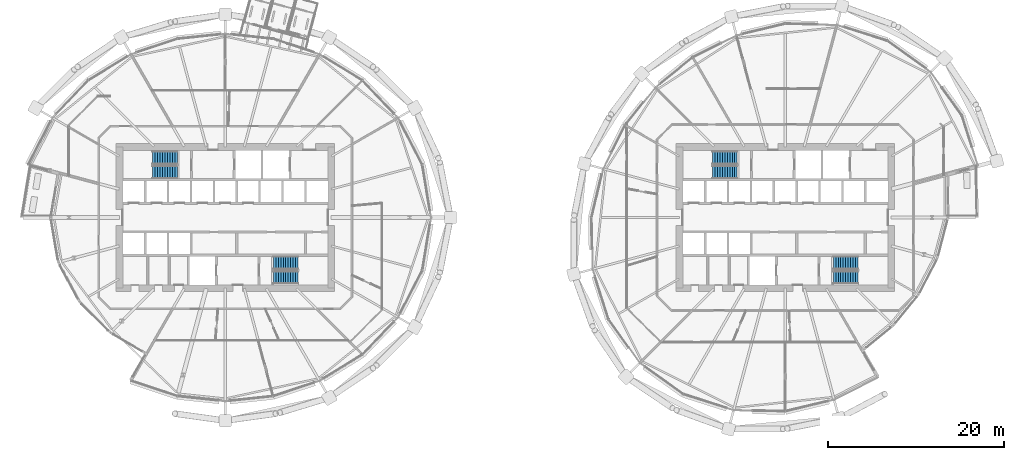
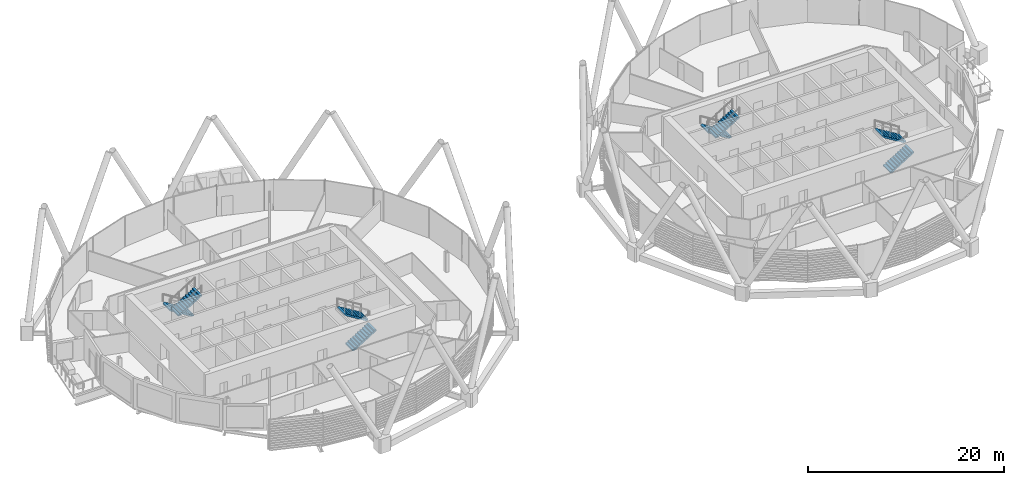
# One storey, part 31 of 38: 8 stair flights, 4 elements without a shape of their own.
"""IFC4 building model written with IfcOpenShell, lengths in metres."""

from ifc_helpers import new_model, si_unit, direction, frame, origin, place, context, subcontext, project, spatial, polyline, outline, extrude, material, type_object, element, aggregate, save


model = new_model("IFC4")

# Units and contexts
model_context = context("Model", 3, precision=1e-05, world=origin(), true_north=direction((0.0, 1.0)))
body_context = subcontext(model_context, "Body", "Model", "MODEL_VIEW")
ifc_project = project(units=[si_unit("LENGTHUNIT", "METRE"), si_unit("AREAUNIT", "SQUARE_METRE"), si_unit("VOLUMEUNIT", "CUBIC_METRE"), si_unit("PLANEANGLEUNIT", "RADIAN"), si_unit("MASSUNIT", "GRAM", prefix="KILO")], contexts=[model_context])

# Site, building, storey
site_placement = place(None, origin())
site = spatial("IfcSite", under=ifc_project, at=site_placement, CompositionType="ELEMENT")
building_placement = place(site_placement, origin())
building = spatial("IfcBuilding", under=site, at=building_placement, Name="Rimbun Link Towers", CompositionType="ELEMENT")
storey_placement = place(building_placement, frame((0.0, 0.0, 104.39990234375)))
storey = spatial("IfcBuildingStorey", under=building, at=storey_placement, Name="L25", CompositionType="ELEMENT", Elevation=104.39990234375)

# Stair, stair flights
ifc_material_1 = material(Name="Concrete C40/50", Category="concrete")
stair_type = type_object("IfcStairType", Name="Exit stair 3800 rise", PredefinedType="HALF_TURN_STAIR", material=ifc_material_1)
stair_1_placement = place(storey_placement, origin())
stair_1 = element("IfcStair", 1, at=stair_1_placement, inside=storey, type_object=stair_type, Name="L25 EXIT STAIR A", PredefinedType="HALF_TURN_STAIR")
ifc_material_2 = material(Name="Concrete C40/50", Category="concrete")
stair_flight_type = type_object("IfcStairFlightType", Name="Exit stair flight 3800 rise", PredefinedType="STRAIGHT", material=ifc_material_2)
stair_flight_1_placement = place(storey_placement, frame((-37.199951171875, 6.800048828125, 0.0), z_axis=(0.0, 0.0, 1.0), x_axis=(-1.0, 0.0, 0.0)))
stair_flight_1 = element("IfcStairFlight", 2, at=stair_flight_1_placement, type_object=stair_flight_type, Name="ST1 flight 1", NumberOfRisers=11, NumberOfTreads=10, PredefinedType="STRAIGHT", RiserHeight=0.172727273, TreadLength=0.28, context=body_context, shape_type="SweptSolid", body=[
    extrude(outline(polyline([(0.0, 0.0), (0.0, 0.172607421875), (0.280029296875, 0.172607421875), (0.280029296875, 0.345458984375), (0.56005859375, 0.345458984375), (0.56005859375, 0.51806640625), (0.840087890625, 0.51806640625), (0.840087890625, 0.69091796875), (1.1201171875, 0.69091796875), (1.1201171875, 0.863525390625), (1.39990234375, 0.863525390625), (1.39990234375, 1.036376953125), (1.679931640625, 1.036376953125), (1.679931640625, 1.208984375), (1.9599609375, 1.208984375), (1.9599609375, 1.3818359375), (2.239990234375, 1.3818359375), (2.239990234375, 1.554443359375), (2.52001953125, 1.554443359375), (2.52001953125, 1.727294921875), (2.800048828125, 1.727294921875), (2.800048828125, 1.89990234375), (2.800048828125, 1.551025390625), (0.280029296875, 0.0), (0.0, 0.0)])), frame((0.0, 0.75, 0.0), z_axis=(0.0, -1.0, 0.0), x_axis=(1.0, 0.0, 0.0)), (0.0, 0.0, 1.0), 1.5),
])
stair_flight_2_placement = place(storey_placement, frame((-40.0, 5.14990234375, 1.900146484375), z_axis=(0.0, 0.0, 1.0), x_axis=(1.0, 0.0, 0.0)))
stair_flight_2 = element("IfcStairFlight", 3, at=stair_flight_2_placement, type_object=stair_flight_type, Name="ST1 flight 2", NumberOfRisers=11, NumberOfTreads=10, PredefinedType="STRAIGHT", RiserHeight=0.172727273, TreadLength=0.28, context=body_context, shape_type="SweptSolid", body=[
    extrude(outline(polyline([(0.0, 0.0), (0.0, 0.172607421875), (0.280029296875, 0.172607421875), (0.280029296875, 0.345458984375), (0.56005859375, 0.345458984375), (0.56005859375, 0.51806640625), (0.840087890625, 0.51806640625), (0.840087890625, 0.69091796875), (1.1201171875, 0.69091796875), (1.1201171875, 0.863525390625), (1.39990234375, 0.863525390625), (1.39990234375, 1.036376953125), (1.679931640625, 1.036376953125), (1.679931640625, 1.208984375), (1.9599609375, 1.208984375), (1.9599609375, 1.3818359375), (2.239990234375, 1.3818359375), (2.239990234375, 1.554443359375), (2.52001953125, 1.554443359375), (2.52001953125, 1.727294921875), (2.800048828125, 1.727294921875), (2.800048828125, 1.89990234375), (2.800048828125, 1.551025390625), (0.280029296875, 0.0), (0.0, 0.0)])), frame((0.0, 0.75, 0.0), z_axis=(0.0, -1.0, 0.0), x_axis=(1.0, 0.0, 0.0)), (0.0, 0.0, 1.0), 1.5),
])
aggregate(stair_1, [stair_flight_1, stair_flight_2])

stair_2_placement = place(storey_placement, origin())
stair_2 = element("IfcStair", 4, at=stair_2_placement, inside=storey, type_object=stair_type, Name="L25 EXIT STAIR B", PredefinedType="HALF_TURN_STAIR")
stair_flight_3_placement = place(storey_placement, frame((-26.300048828125, -6.800048828125, 0.0), z_axis=(0.0, 0.0, 1.0), x_axis=(1.0, 0.0, 0.0)))
stair_flight_3 = element("IfcStairFlight", 5, at=stair_flight_3_placement, type_object=stair_flight_type, Name="ST2 flight 1", NumberOfRisers=11, NumberOfTreads=10, PredefinedType="STRAIGHT", RiserHeight=0.172727273, TreadLength=0.28, context=body_context, shape_type="SweptSolid", body=[
    extrude(outline(polyline([(0.0, 0.0), (0.0, 0.172607421875), (0.280029296875, 0.172607421875), (0.280029296875, 0.345458984375), (0.56005859375, 0.345458984375), (0.56005859375, 0.51806640625), (0.840087890625, 0.51806640625), (0.840087890625, 0.69091796875), (1.1201171875, 0.69091796875), (1.1201171875, 0.863525390625), (1.39990234375, 0.863525390625), (1.39990234375, 1.036376953125), (1.679931640625, 1.036376953125), (1.679931640625, 1.208984375), (1.9599609375, 1.208984375), (1.9599609375, 1.3818359375), (2.239990234375, 1.3818359375), (2.239990234375, 1.554443359375), (2.52001953125, 1.554443359375), (2.52001953125, 1.727294921875), (2.800048828125, 1.727294921875), (2.800048828125, 1.89990234375), (2.800048828125, 1.551025390625), (0.280029296875, 0.0), (0.0, 0.0)])), frame((0.0, 0.75, 0.0), z_axis=(0.0, -1.0, 0.0), x_axis=(1.0, 0.0, 0.0)), (0.0, 0.0, 1.0), 1.5),
])
stair_flight_4_placement = place(storey_placement, frame((-23.5, -5.14990234375, 1.900146484375), z_axis=(0.0, 0.0, 1.0), x_axis=(-1.0, 0.0, 0.0)))
stair_flight_4 = element("IfcStairFlight", 6, at=stair_flight_4_placement, type_object=stair_flight_type, Name="ST2 flight 2", NumberOfRisers=11, NumberOfTreads=10, PredefinedType="STRAIGHT", RiserHeight=0.172727273, TreadLength=0.28, context=body_context, shape_type="SweptSolid", body=[
    extrude(outline(polyline([(0.0, 0.0), (0.0, 0.172607421875), (0.280029296875, 0.172607421875), (0.280029296875, 0.345458984375), (0.56005859375, 0.345458984375), (0.56005859375, 0.51806640625), (0.840087890625, 0.51806640625), (0.840087890625, 0.69091796875), (1.1201171875, 0.69091796875), (1.1201171875, 0.863525390625), (1.39990234375, 0.863525390625), (1.39990234375, 1.036376953125), (1.679931640625, 1.036376953125), (1.679931640625, 1.208984375), (1.9599609375, 1.208984375), (1.9599609375, 1.3818359375), (2.239990234375, 1.3818359375), (2.239990234375, 1.554443359375), (2.52001953125, 1.554443359375), (2.52001953125, 1.727294921875), (2.800048828125, 1.727294921875), (2.800048828125, 1.89990234375), (2.800048828125, 1.551025390625), (0.280029296875, 0.0), (0.0, 0.0)])), frame((0.0, 0.75, 0.0), z_axis=(0.0, -1.0, 0.0), x_axis=(1.0, 0.0, 0.0)), (0.0, 0.0, 1.0), 1.5),
])
aggregate(stair_2, [stair_flight_3, stair_flight_4])

stair_3_placement = place(storey_placement, origin())
stair_3 = element("IfcStair", 7, at=stair_3_placement, inside=storey, type_object=stair_type, Name="L25 EXIT STAIR A", PredefinedType="HALF_TURN_STAIR")
stair_flight_5_placement = place(storey_placement, frame((26.300048828125, 6.800048828125, 0.0), z_axis=(0.0, 0.0, 1.0), x_axis=(-1.0, 0.0, 0.0)))
stair_flight_5 = element("IfcStairFlight", 8, at=stair_flight_5_placement, type_object=stair_flight_type, Name="ST3 flight 1", NumberOfRisers=11, NumberOfTreads=10, PredefinedType="STRAIGHT", RiserHeight=0.172727273, TreadLength=0.28, context=body_context, shape_type="SweptSolid", body=[
    extrude(outline(polyline([(0.0, 0.0), (0.0, 0.172607421875), (0.280029296875, 0.172607421875), (0.280029296875, 0.345458984375), (0.56005859375, 0.345458984375), (0.56005859375, 0.51806640625), (0.840087890625, 0.51806640625), (0.840087890625, 0.69091796875), (1.1201171875, 0.69091796875), (1.1201171875, 0.863525390625), (1.39990234375, 0.863525390625), (1.39990234375, 1.036376953125), (1.679931640625, 1.036376953125), (1.679931640625, 1.208984375), (1.9599609375, 1.208984375), (1.9599609375, 1.3818359375), (2.239990234375, 1.3818359375), (2.239990234375, 1.554443359375), (2.52001953125, 1.554443359375), (2.52001953125, 1.727294921875), (2.800048828125, 1.727294921875), (2.800048828125, 1.89990234375), (2.800048828125, 1.551025390625), (0.280029296875, 0.0), (0.0, 0.0)])), frame((0.0, 0.75, 0.0), z_axis=(0.0, -1.0, 0.0), x_axis=(1.0, 0.0, 0.0)), (0.0, 0.0, 1.0), 1.5),
])
stair_flight_6_placement = place(storey_placement, frame((23.5, 5.14990234375, 1.900146484375), z_axis=(0.0, 0.0, 1.0), x_axis=(1.0, 0.0, 0.0)))
stair_flight_6 = element("IfcStairFlight", 9, at=stair_flight_6_placement, type_object=stair_flight_type, Name="ST3 flight 2", NumberOfRisers=11, NumberOfTreads=10, PredefinedType="STRAIGHT", RiserHeight=0.172727273, TreadLength=0.28, context=body_context, shape_type="SweptSolid", body=[
    extrude(outline(polyline([(0.0, 0.0), (0.0, 0.172607421875), (0.280029296875, 0.172607421875), (0.280029296875, 0.345458984375), (0.56005859375, 0.345458984375), (0.56005859375, 0.51806640625), (0.840087890625, 0.51806640625), (0.840087890625, 0.69091796875), (1.1201171875, 0.69091796875), (1.1201171875, 0.863525390625), (1.39990234375, 0.863525390625), (1.39990234375, 1.036376953125), (1.679931640625, 1.036376953125), (1.679931640625, 1.208984375), (1.9599609375, 1.208984375), (1.9599609375, 1.3818359375), (2.239990234375, 1.3818359375), (2.239990234375, 1.554443359375), (2.52001953125, 1.554443359375), (2.52001953125, 1.727294921875), (2.800048828125, 1.727294921875), (2.800048828125, 1.89990234375), (2.800048828125, 1.551025390625), (0.280029296875, 0.0), (0.0, 0.0)])), frame((0.0, 0.75, 0.0), z_axis=(0.0, -1.0, 0.0), x_axis=(1.0, 0.0, 0.0)), (0.0, 0.0, 1.0), 1.5),
])
aggregate(stair_3, [stair_flight_5, stair_flight_6])

stair_4_placement = place(storey_placement, origin())
stair_4 = element("IfcStair", 10, at=stair_4_placement, inside=storey, type_object=stair_type, Name="L25 EXIT STAIR B", PredefinedType="HALF_TURN_STAIR")
stair_flight_7_placement = place(storey_placement, frame((37.199951171875, -6.800048828125, 0.0), z_axis=(0.0, 0.0, 1.0), x_axis=(1.0, 0.0, 0.0)))
stair_flight_7 = element("IfcStairFlight", 11, at=stair_flight_7_placement, type_object=stair_flight_type, Name="ST4 flight 1", NumberOfRisers=11, NumberOfTreads=10, PredefinedType="STRAIGHT", RiserHeight=0.172727273, TreadLength=0.28, context=body_context, shape_type="SweptSolid", body=[
    extrude(outline(polyline([(0.0, 0.0), (0.0, 0.172607421875), (0.280029296875, 0.172607421875), (0.280029296875, 0.345458984375), (0.56005859375, 0.345458984375), (0.56005859375, 0.51806640625), (0.840087890625, 0.51806640625), (0.840087890625, 0.69091796875), (1.1201171875, 0.69091796875), (1.1201171875, 0.863525390625), (1.39990234375, 0.863525390625), (1.39990234375, 1.036376953125), (1.679931640625, 1.036376953125), (1.679931640625, 1.208984375), (1.9599609375, 1.208984375), (1.9599609375, 1.3818359375), (2.239990234375, 1.3818359375), (2.239990234375, 1.554443359375), (2.52001953125, 1.554443359375), (2.52001953125, 1.727294921875), (2.800048828125, 1.727294921875), (2.800048828125, 1.89990234375), (2.800048828125, 1.551025390625), (0.280029296875, 0.0), (0.0, 0.0)])), frame((0.0, 0.75, 0.0), z_axis=(0.0, -1.0, 0.0), x_axis=(1.0, 0.0, 0.0)), (0.0, 0.0, 1.0), 1.5),
])
stair_flight_8_placement = place(storey_placement, frame((40.0, -5.14990234375, 1.900146484375), z_axis=(0.0, 0.0, 1.0), x_axis=(-1.0, 0.0, 0.0)))
stair_flight_8 = element("IfcStairFlight", 12, at=stair_flight_8_placement, type_object=stair_flight_type, Name="ST4 flight 2", NumberOfRisers=11, NumberOfTreads=10, PredefinedType="STRAIGHT", RiserHeight=0.172727273, TreadLength=0.28, context=body_context, shape_type="SweptSolid", body=[
    extrude(outline(polyline([(0.0, 0.0), (0.0, 0.172607421875), (0.280029296875, 0.172607421875), (0.280029296875, 0.345458984375), (0.56005859375, 0.345458984375), (0.56005859375, 0.51806640625), (0.840087890625, 0.51806640625), (0.840087890625, 0.69091796875), (1.1201171875, 0.69091796875), (1.1201171875, 0.863525390625), (1.39990234375, 0.863525390625), (1.39990234375, 1.036376953125), (1.679931640625, 1.036376953125), (1.679931640625, 1.208984375), (1.9599609375, 1.208984375), (1.9599609375, 1.3818359375), (2.239990234375, 1.3818359375), (2.239990234375, 1.554443359375), (2.52001953125, 1.554443359375), (2.52001953125, 1.727294921875), (2.800048828125, 1.727294921875), (2.800048828125, 1.89990234375), (2.800048828125, 1.551025390625), (0.280029296875, 0.0), (0.0, 0.0)])), frame((0.0, 0.75, 0.0), z_axis=(0.0, -1.0, 0.0), x_axis=(1.0, 0.0, 0.0)), (0.0, 0.0, 1.0), 1.5),
])
aggregate(stair_4, [stair_flight_7, stair_flight_8])

save(model, "model.ifc")
